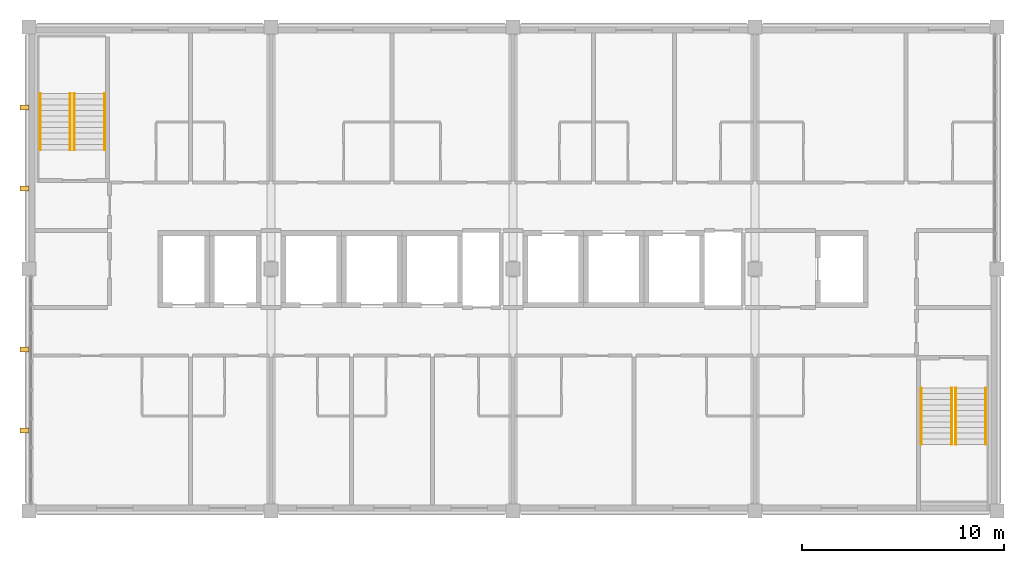
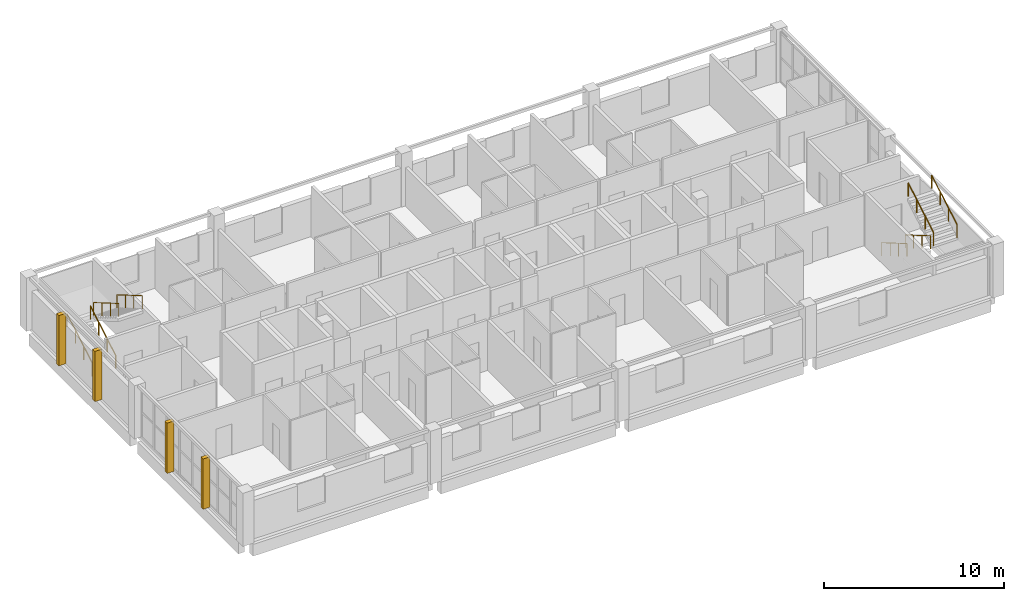
# One storey, part 11 of 11: 8 railings, 4 coverings.
"""IFC4 building model written with IfcOpenShell, lengths in metres."""

from ifc_helpers import new_model, si_unit, direction, frame, frame_2d, origin, origin_2d, place, context, subcontext, project, spatial, rectangle, circle, extrude, material, layer, layer_set, type_object, element, save


model = new_model("IFC4")

# Units and contexts
model_context = context("Model", 3, precision=1e-05, world=origin(), true_north=direction((0.0, 1.0)))
body_context = subcontext(model_context, "Body", "Model", "MODEL_VIEW")
ifc_project = project(units=[si_unit("LENGTHUNIT", "METRE"), si_unit("AREAUNIT", "SQUARE_METRE"), si_unit("VOLUMEUNIT", "CUBIC_METRE"), si_unit("PLANEANGLEUNIT", "RADIAN"), si_unit("MASSUNIT", "GRAM", prefix="KILO")], contexts=[model_context])

# Site, building, storey
site_placement = place(None, origin())
site = spatial("IfcSite", under=ifc_project, at=site_placement, CompositionType="ELEMENT")
building_placement = place(site_placement, origin())
building = spatial("IfcBuilding", under=site, at=building_placement, Name="Lilac Gate Convention Centre", CompositionType="ELEMENT")
storey_placement = place(building_placement, frame((0.0, 0.0, 49.800048828125)))
storey = spatial("IfcBuildingStorey", under=building, at=storey_placement, Name="L12", CompositionType="ELEMENT", Elevation=49.800048828125)

# Coverings
ifc_material_1 = material(Name="Concrete C40 precast", Category="concrete")
ifc_layer_1 = layer(ifc_material_1, 0.22998046875)
ifc_material_2 = material(Name="Terracotta glazed cladding", Category="masonry")
ifc_layer_2 = layer(ifc_material_2, 0.02001953125)
ifc_layer_set = layer_set([ifc_layer_1, ifc_layer_2], Name="Concrete C40 precast, Terracotta glazed cladding")
covering_type = type_object("IfcCoveringType", Name="Precast fin 250 x 450", PredefinedType="CLADDING", material=ifc_layer_set)
for number, where, z_axis, x_axis, name in (
    (1, (41.550048828125, 226.0, 0.0), (0.0, 0.0, 1.0), (1.0, 0.0, 0.0), "Precast fin west L12 226"),
    (2, (41.550048828125, 230.0, 0.0), (0.0, 0.0, 1.0), (1.0, 0.0, 0.0), "Precast fin west L12 230"),
    (3, (41.550048828125, 238.0, 0.0), (0.0, 0.0, 1.0), (1.0, 0.0, 0.0), "Precast fin west L12 238"),
    (4, (41.550048828125, 242.0, 0.0), (0.0, 0.0, 1.0), (1.0, 0.0, 0.0), "Precast fin west L12 242"),
):
    element("IfcCovering", number, at=place(storey_placement, frame(where, z_axis=z_axis, x_axis=x_axis)), inside=storey, type_object=covering_type, Name=name, PredefinedType="CLADDING", context=body_context, shape_type="SweptSolid", body=[
        extrude(rectangle(XDim=0.449951171875, YDim=0.25, at=frame_2d((0.22509765625, 0.0))), origin(), (0.0, 0.0, 1.0), 3.39990234375),
    ])

# Railings
ifc_material_3 = material(Name="Stainless steel 304", Category="steel")
railing_type = type_object("IfcRailingType", Name="Stair handrail", PredefinedType="HANDRAIL", material=ifc_material_3)
for number, where, name in (
    (5, (42.550048828125, 239.89990234375, 0.16357421875), "Handrail NW L12 flight 1"),
    (6, (44.050048828125, 239.89990234375, 0.16357421875), "Handrail NW L12 flight 1"),
):
    element("IfcRailing", number, at=place(storey_placement, frame(where)), inside=storey, type_object=railing_type, Name=name, PredefinedType="HANDRAIL", context=body_context, shape_type="SweptSolid", body=[
        extrude(circle(Radius=0.02392578125, at=origin_2d()), frame((0.0, 0.0, 0.8759765625), z_axis=(0.0, 0.863360870873, 0.504586966384), x_axis=(-1.0, 0.0, 0.0)), (0.0, 0.0, 1.0), 3.2431640625),
        extrude(circle(Radius=0.02099609375, at=origin_2d()), origin(), (0.0, 0.0, 1.0), 0.851806640625),
        extrude(circle(Radius=0.02099609375, at=origin_2d()), frame((0.0, 0.933349609375, 0.54541015625)), (0.0, 0.0, 1.0), 0.851806640625),
        extrude(circle(Radius=0.02099609375, at=origin_2d()), frame((0.0, 1.86669921875, 1.091064453125)), (0.0, 0.0, 1.0), 0.851806640625),
        extrude(circle(Radius=0.02099609375, at=origin_2d()), frame((0.0, 2.800048828125, 1.636474609375)), (0.0, 0.0, 1.0), 0.851806640625),
    ])
for number, where, name in (
    (7, (45.75, 242.699951171875, 1.963623046875), "Handrail NW L12 flight 2"),
    (8, (44.25, 242.699951171875, 1.963623046875), "Handrail NW L12 flight 2"),
):
    element("IfcRailing", number, at=place(storey_placement, frame(where)), inside=storey, type_object=railing_type, Name=name, PredefinedType="HANDRAIL", context=body_context, shape_type="SweptSolid", body=[
        extrude(circle(Radius=0.02392578125, at=origin_2d()), frame((0.0, 0.0, 0.8759765625), z_axis=(0.0, -0.863393664356, 0.504530851732), x_axis=(1.0, 0.0, 0.0)), (0.0, 0.0, 1.0), 3.2431640625),
        extrude(circle(Radius=0.02099609375, at=origin_2d()), origin(), (0.0, 0.0, 1.0), 0.851806640625),
        extrude(circle(Radius=0.02099609375, at=origin_2d()), frame((0.0, -0.933349609375, 0.54541015625)), (0.0, 0.0, 1.0), 0.851806640625),
        extrude(circle(Radius=0.02099609375, at=origin_2d()), frame((0.0, -1.86669921875, 1.0908203125)), (0.0, 0.0, 1.0), 0.851806640625),
        extrude(circle(Radius=0.02099609375, at=origin_2d()), frame((0.0, -2.800048828125, 1.63623046875)), (0.0, 0.0, 1.0), 0.851806640625),
    ])
for number, where, name in (
    (9, (87.75, 228.10009765625, 0.16357421875), "Handrail SE L12 flight 1"),
    (10, (86.25, 228.10009765625, 0.16357421875), "Handrail SE L12 flight 1"),
):
    element("IfcRailing", number, at=place(storey_placement, frame(where)), inside=storey, type_object=railing_type, Name=name, PredefinedType="HANDRAIL", context=body_context, shape_type="SweptSolid", body=[
        extrude(circle(Radius=0.02392578125, at=origin_2d()), frame((0.0, 0.0, 0.8759765625), z_axis=(0.0, -0.863360870873, 0.504586966384), x_axis=(1.0, 0.0, 0.0)), (0.0, 0.0, 1.0), 3.2431640625),
        extrude(circle(Radius=0.02099609375, at=origin_2d()), origin(), (0.0, 0.0, 1.0), 0.851806640625),
        extrude(circle(Radius=0.02099609375, at=origin_2d()), frame((0.0, -0.933349609375, 0.54541015625)), (0.0, 0.0, 1.0), 0.851806640625),
        extrude(circle(Radius=0.02099609375, at=origin_2d()), frame((0.0, -1.86669921875, 1.091064453125)), (0.0, 0.0, 1.0), 0.851806640625),
        extrude(circle(Radius=0.02099609375, at=origin_2d()), frame((0.0, -2.800048828125, 1.636474609375)), (0.0, 0.0, 1.0), 0.851806640625),
    ])
for number, where, name in (
    (11, (87.949951171875, 225.300048828125, 1.963623046875), "Handrail SE L12 flight 2"),
    (12, (89.449951171875, 225.300048828125, 1.963623046875), "Handrail SE L12 flight 2"),
):
    element("IfcRailing", number, at=place(storey_placement, frame(where)), inside=storey, type_object=railing_type, Name=name, PredefinedType="HANDRAIL", context=body_context, shape_type="SweptSolid", body=[
        extrude(circle(Radius=0.02392578125, at=origin_2d()), frame((0.0, 0.0, 0.8759765625), z_axis=(0.0, 0.863393664356, 0.504530851732), x_axis=(-1.0, 0.0, 0.0)), (0.0, 0.0, 1.0), 3.2431640625),
        extrude(circle(Radius=0.02099609375, at=origin_2d()), origin(), (0.0, 0.0, 1.0), 0.851806640625),
        extrude(circle(Radius=0.02099609375, at=origin_2d()), frame((0.0, 0.933349609375, 0.54541015625)), (0.0, 0.0, 1.0), 0.851806640625),
        extrude(circle(Radius=0.02099609375, at=origin_2d()), frame((0.0, 1.86669921875, 1.0908203125)), (0.0, 0.0, 1.0), 0.851806640625),
        extrude(circle(Radius=0.02099609375, at=origin_2d()), frame((0.0, 2.800048828125, 1.63623046875)), (0.0, 0.0, 1.0), 0.851806640625),
    ])

save(model, "model.ifc")
